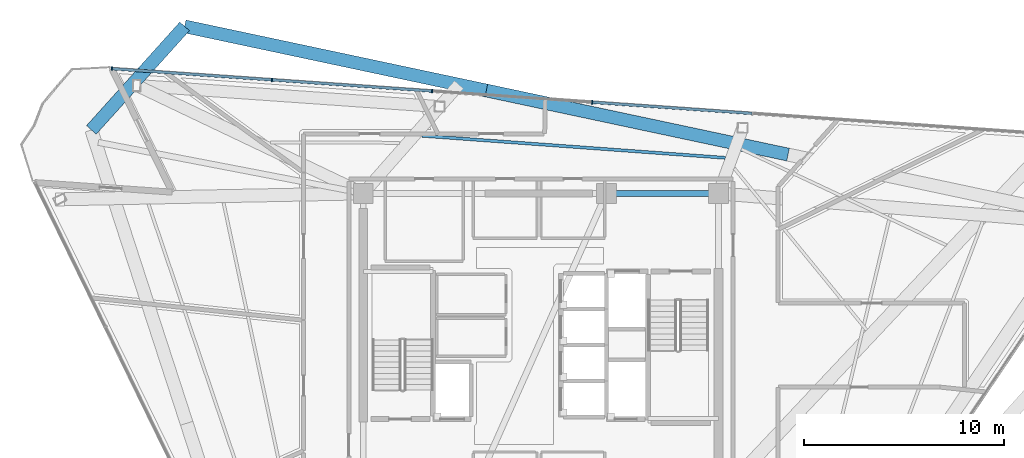
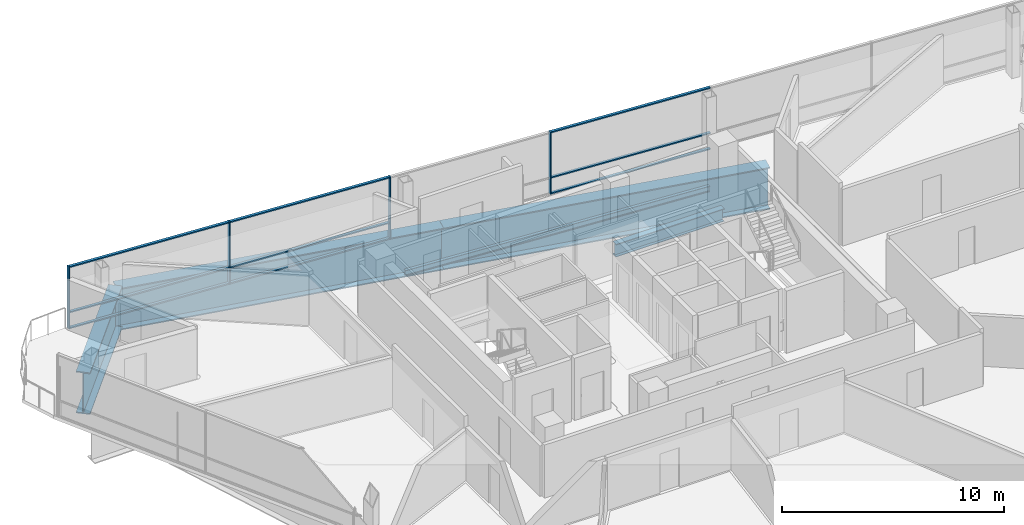
# One storey, part 6 of 14: 13 members, 5 beams, 1 element without a shape of its own.
"""IFC4 building model written with IfcOpenShell, lengths in metres."""

from ifc_helpers import new_model, si_unit, direction, frame, origin, origin_2d, place, context, subcontext, project, spatial, rectangle, i_section, extrude, material, layer, layer_set, material_profile, profile_set, type_object, element, aggregate, save


model = new_model("IFC4")

# Units and contexts
model_context = context("Model", 3, precision=1e-05, world=origin(), true_north=direction((0.0, 1.0)))
body_context = subcontext(model_context, "Body", "Model", "MODEL_VIEW")
ifc_project = project(units=[si_unit("LENGTHUNIT", "METRE"), si_unit("AREAUNIT", "SQUARE_METRE"), si_unit("VOLUMEUNIT", "CUBIC_METRE"), si_unit("PLANEANGLEUNIT", "RADIAN"), si_unit("MASSUNIT", "GRAM", prefix="KILO")], contexts=[model_context])

# Site, building, storey
site_placement = place(None, origin())
site = spatial("IfcSite", under=ifc_project, at=site_placement, CompositionType="ELEMENT")
building_placement = place(site_placement, origin())
building = spatial("IfcBuilding", under=site, at=building_placement, Name="Tharavind Bronze Gate", CompositionType="ELEMENT")
storey_placement = place(building_placement, frame((0.0, 0.0, 227.050048828125)))
storey = spatial("IfcBuildingStorey", under=building, at=storey_placement, Name="L58", CompositionType="ELEMENT", Elevation=227.050048828125)

# Curtain wall, members
ifc_material_1 = material(Name="Anodised Bronze Aluminium", Category="aluminium")
ifc_layer = layer(ifc_material_1, 0.219970703125)
ifc_layer_set = layer_set([ifc_layer], Name="Anodised Bronze Aluminium")
curtain_wall_type = type_object("IfcCurtainWallType", Name="UNITISED CURTAIN WALL UPPER OFFICE", PredefinedType="USERDEFINED", material=ifc_layer_set)
curtain_wall_placement = place(storey_placement, origin())
curtain_wall = element("IfcCurtainWall", 1, at=curtain_wall_placement, inside=storey, type_object=curtain_wall_type, Name="L58 unitised curtain wall upper office CW-L58-S3", ObjectType="UNITISED CURTAIN WALL", PredefinedType="USERDEFINED")
member_type_1 = type_object("IfcMemberType", Name="CURTAIN WALL BRONZE MULLION 65X180", PredefinedType="MULLION", material=ifc_material_1)
member_1_placement = place(storey_placement, frame((2.5654296875, 12.162353515625, 0.0), z_axis=(0.0, 0.0, 1.0), x_axis=(-0.99756392851, 0.069758214822, 0.0)))
member_1 = element("IfcMember", 2, at=member_1_placement, type_object=member_type_1, Name="CW-L58-S3 mullion 4", PredefinedType="MULLION", context=body_context, shape_type="SweptSolid", body=[
    extrude(rectangle(XDim=0.06494140625, YDim=0.179931640625, at=origin_2d()), origin(), (0.0, 0.0, 1.0), 3.419921875),
])
member_2_placement = place(storey_placement, frame((-5.452880859375, 12.72314453125, 0.0), z_axis=(0.0, 0.0, 1.0), x_axis=(-0.99756392851, 0.069758214822, 0.0)))
member_2 = element("IfcMember", 3, at=member_2_placement, type_object=member_type_1, Name="CW-L58-S3 mullion 5", PredefinedType="MULLION", context=body_context, shape_type="SweptSolid", body=[
    extrude(rectangle(XDim=0.06494140625, YDim=0.179931640625, at=origin_2d()), origin(), (0.0, 0.0, 1.0), 3.419921875),
])
member_3_placement = place(storey_placement, frame((-13.471435546875, 13.28369140625, 0.0), z_axis=(0.0, 0.0, 1.0), x_axis=(-0.99756392851, 0.069758214822, 0.0)))
member_3 = element("IfcMember", 4, at=member_3_placement, type_object=member_type_1, Name="CW-L58-S3 mullion 6", PredefinedType="MULLION", context=body_context, shape_type="SweptSolid", body=[
    extrude(rectangle(XDim=0.06494140625, YDim=0.179931640625, at=origin_2d()), origin(), (0.0, 0.0, 1.0), 3.419921875),
])
member_4_placement = place(storey_placement, frame((-21.489990234375, 13.844482421875, 0.0), z_axis=(0.0, 0.0, 1.0), x_axis=(-0.99756392851, 0.069758214822, 0.0)))
member_4 = element("IfcMember", 5, at=member_4_placement, type_object=member_type_1, Name="CW-L58-S3 mullion 7", PredefinedType="MULLION", context=body_context, shape_type="SweptSolid", body=[
    extrude(rectangle(XDim=0.06494140625, YDim=0.179931640625, at=origin_2d()), origin(), (0.0, 0.0, 1.0), 3.419921875),
])
member_type_2 = type_object("IfcMemberType", Name="CURTAIN WALL BRONZE TRANSOM 65X140", PredefinedType="USERDEFINED", material=ifc_material_1)
member_5_placement = place(storey_placement, frame((6.57470703125, 11.882080078125, 0.0), z_axis=(0.0, 0.0, 1.0), x_axis=(-0.99756392851, 0.069758214822, 0.0)))
member_5 = element("IfcMember", 6, at=member_5_placement, type_object=member_type_2, Name="CW-L58-S3 transom TB3", ObjectType="TRANSOM", PredefinedType="USERDEFINED", context=body_context, shape_type="SweptSolid", body=[
    extrude(rectangle(XDim=7.985107421875, YDim=0.139892578125, at=origin_2d()), origin(), (0.0, 0.0, 1.0), 0.06494140625),
])
member_6_placement = place(storey_placement, frame((6.57470703125, 11.882080078125, 0.867431640625), z_axis=(0.0, 0.0, 1.0), x_axis=(-0.99756392851, 0.069758214822, 0.0)))
member_6 = element("IfcMember", 7, at=member_6_placement, type_object=member_type_2, Name="CW-L58-S3 transom TS3", ObjectType="TRANSOM", PredefinedType="USERDEFINED", context=body_context, shape_type="SweptSolid", body=[
    extrude(rectangle(XDim=7.985107421875, YDim=0.139892578125, at=origin_2d()), origin(), (0.0, 0.0, 1.0), 0.06494140625),
])
member_7_placement = place(storey_placement, frame((6.57470703125, 11.882080078125, 3.35498046875), z_axis=(0.0, 0.0, 1.0), x_axis=(-0.99756392851, 0.069758214822, 0.0)))
member_7 = element("IfcMember", 8, at=member_7_placement, type_object=member_type_2, Name="CW-L58-S3 transom TT3", ObjectType="TRANSOM", PredefinedType="USERDEFINED", context=body_context, shape_type="SweptSolid", body=[
    extrude(rectangle(XDim=7.985107421875, YDim=0.139892578125, at=origin_2d()), origin(), (0.0, 0.0, 1.0), 0.06494140625),
])
member_8_placement = place(storey_placement, frame((-9.462158203125, 13.00341796875, 0.0), z_axis=(0.0, 0.0, 1.0), x_axis=(-0.99756392851, 0.069758214822, 0.0)))
member_8 = element("IfcMember", 9, at=member_8_placement, type_object=member_type_2, Name="CW-L58-S3 transom TB5", ObjectType="TRANSOM", PredefinedType="USERDEFINED", context=body_context, shape_type="SweptSolid", body=[
    extrude(rectangle(XDim=7.985107421875, YDim=0.139892578125, at=origin_2d()), origin(), (0.0, 0.0, 1.0), 0.06494140625),
])
member_9_placement = place(storey_placement, frame((-9.462158203125, 13.00341796875, 0.867431640625), z_axis=(0.0, 0.0, 1.0), x_axis=(-0.99756392851, 0.069758214822, 0.0)))
member_9 = element("IfcMember", 10, at=member_9_placement, type_object=member_type_2, Name="CW-L58-S3 transom TS5", ObjectType="TRANSOM", PredefinedType="USERDEFINED", context=body_context, shape_type="SweptSolid", body=[
    extrude(rectangle(XDim=7.985107421875, YDim=0.139892578125, at=origin_2d()), origin(), (0.0, 0.0, 1.0), 0.06494140625),
])
member_10_placement = place(storey_placement, frame((-9.462158203125, 13.00341796875, 3.35498046875), z_axis=(0.0, 0.0, 1.0), x_axis=(-0.99756392851, 0.069758214822, 0.0)))
member_10 = element("IfcMember", 11, at=member_10_placement, type_object=member_type_2, Name="CW-L58-S3 transom TT5", ObjectType="TRANSOM", PredefinedType="USERDEFINED", context=body_context, shape_type="SweptSolid", body=[
    extrude(rectangle(XDim=7.985107421875, YDim=0.139892578125, at=origin_2d()), origin(), (0.0, 0.0, 1.0), 0.06494140625),
])
member_11_placement = place(storey_placement, frame((-17.480712890625, 13.564208984375, 0.0), z_axis=(0.0, 0.0, 1.0), x_axis=(-0.99756392851, 0.069758214822, 0.0)))
member_11 = element("IfcMember", 12, at=member_11_placement, type_object=member_type_2, Name="CW-L58-S3 transom TB6", ObjectType="TRANSOM", PredefinedType="USERDEFINED", context=body_context, shape_type="SweptSolid", body=[
    extrude(rectangle(XDim=7.985107421875, YDim=0.139892578125, at=origin_2d()), origin(), (0.0, 0.0, 1.0), 0.06494140625),
])
member_12_placement = place(storey_placement, frame((-17.480712890625, 13.564208984375, 0.867431640625), z_axis=(0.0, 0.0, 1.0), x_axis=(-0.99756392851, 0.069758214822, 0.0)))
member_12 = element("IfcMember", 13, at=member_12_placement, type_object=member_type_2, Name="CW-L58-S3 transom TS6", ObjectType="TRANSOM", PredefinedType="USERDEFINED", context=body_context, shape_type="SweptSolid", body=[
    extrude(rectangle(XDim=7.985107421875, YDim=0.139892578125, at=origin_2d()), origin(), (0.0, 0.0, 1.0), 0.06494140625),
])
member_13_placement = place(storey_placement, frame((-17.480712890625, 13.564208984375, 3.35498046875), z_axis=(0.0, 0.0, 1.0), x_axis=(-0.99756392851, 0.069758214822, 0.0)))
member_13 = element("IfcMember", 14, at=member_13_placement, type_object=member_type_2, Name="CW-L58-S3 transom TT6", ObjectType="TRANSOM", PredefinedType="USERDEFINED", context=body_context, shape_type="SweptSolid", body=[
    extrude(rectangle(XDim=7.985107421875, YDim=0.139892578125, at=origin_2d()), origin(), (0.0, 0.0, 1.0), 0.06494140625),
])
aggregate(curtain_wall, [member_1, member_2, member_3, member_4, member_5, member_6, member_7, member_8, member_9, member_10, member_11, member_12, member_13])

# Beams
ifc_material_2 = material(Name="Steel S355", Category="steel")
ifc_material_profile_1 = material_profile(ifc_material_2, i_section(OverallWidth=0.300048828125, OverallDepth=0.699951171875, WebThickness=0.01708984375, FlangeThickness=0.031982421875, at=origin_2d()), Name="HE700B")
ifc_profile_set_1 = profile_set([ifc_material_profile_1], Name="Steel S355")
beam_type_1 = type_object("IfcBeamType", Name="RING GIRDER HE700B", PredefinedType="USERDEFINED", material=ifc_profile_set_1)
beam_1_placement = place(storey_placement, frame((8.89990234375, 7.60009765625, -0.5400390625), z_axis=(-1.0, 0.0, 0.0), x_axis=(0.0, -1.0, 0.0)))
element("IfcBeam", 15, at=beam_1_placement, inside=storey, type_object=beam_type_1, Name="L58 ring girder he700b BM-L58-CR4", ObjectType="GIRDER", PredefinedType="USERDEFINED", context=body_context, shape_type="SweptSolid", body=[
    extrude(i_section(OverallWidth=0.300048828125, OverallDepth=0.699951171875, WebThickness=0.01708984375, FlangeThickness=0.031982421875, at=origin_2d()), origin(), (0.0, 0.0, 1.0), 5.619873046875),
])
ifc_material_profile_2 = material_profile(ifc_material_2, i_section(OverallWidth=0.14990234375, OverallDepth=0.300048828125, WebThickness=0.007080078125, FlangeThickness=0.0107421875, at=origin_2d()), Name="IPE300")
ifc_profile_set_2 = profile_set([ifc_material_profile_2], Name="Steel S355")
beam_type_2 = type_object("IfcBeamType", Name="SECONDARY FLOOR JOIST IPE300", PredefinedType="JOIST", material=ifc_profile_set_2)
beam_2_placement = place(storey_placement, frame((9.226806640625, 9.379638671875, -0.340087890625), z_axis=(-0.997361891611, 0.07258964914, 0.0), x_axis=(-0.07258964914, -0.997361891611, 0.0)))
element("IfcBeam", 16, at=beam_2_placement, inside=storey, type_object=beam_type_2, Name="L58 secondary floor joist ipe300 BM-L58-JSTA10", PredefinedType="JOIST", context=body_context, shape_type="SweptSolid", body=[
    extrude(i_section(OverallWidth=0.14990234375, OverallDepth=0.300048828125, WebThickness=0.007080078125, FlangeThickness=0.0107421875, at=origin_2d()), origin(), (0.0, 0.0, 1.0), 15.22216796875),
])
ifc_material_3 = material(Name="Steel S460", Category="steel")
ifc_material_profile_3 = material_profile(ifc_material_3, i_section(OverallWidth=0.64990234375, OverallDepth=2.300048828125, WebThickness=0.035888671875, FlangeThickness=0.05810546875, at=origin_2d()), Name="PG2300X650")
ifc_profile_set_3 = profile_set([ifc_material_profile_3], Name="Steel S460")
beam_type_3 = type_object("IfcBeamType", Name="TRANSFER GIRDER 2300X650", PredefinedType="USERDEFINED", material=ifc_profile_set_3)
for number, where, z_axis, x_axis, name in (
    (17, (12.370849609375, 9.54150390625, -1.340087890625), (-0.978148967388, 0.207905261111, 0.0), (-0.207905261111, -0.978148967388, 0.0), "L58 transfer girder 2300x650 BM-L58-LRG10"),
    (18, (-2.737060546875, 12.752685546875, -1.340087890625), (-0.978148967388, 0.207905261111, 0.0), (-0.207905261111, -0.978148967388, 0.0), "L58 transfer girder 2300x650 BM-L58-LRG11"),
):
    element("IfcBeam", number, at=place(storey_placement, frame(where, z_axis=z_axis, x_axis=x_axis)), inside=storey, type_object=beam_type_3, Name=name, ObjectType="TRANSFER GIRDER", PredefinedType="USERDEFINED", context=body_context, shape_type="SweptSolid", body=[
        extrude(i_section(OverallWidth=0.64990234375, OverallDepth=2.300048828125, WebThickness=0.035888671875, FlangeThickness=0.05810546875, at=origin_2d()), origin(), (0.0, 0.0, 1.0), 15.4453125),
    ])
beam_3_placement = place(storey_placement, frame((-17.844970703125, 15.9638671875, -1.340087890625), z_axis=(-0.669130909152, -0.743144552841, 0.0), x_axis=(0.743144552841, -0.669130909152, 0.0)))
element("IfcBeam", 19, at=beam_3_placement, inside=storey, type_object=beam_type_3, Name="L58 transfer girder 2300x650 BM-L58-LRG12", ObjectType="TRANSFER GIRDER", PredefinedType="USERDEFINED", context=body_context, shape_type="SweptSolid", body=[
    extrude(i_section(OverallWidth=0.64990234375, OverallDepth=2.300048828125, WebThickness=0.035888671875, FlangeThickness=0.05810546875, at=origin_2d()), origin(), (0.0, 0.0, 1.0), 6.979736328125),
])

save(model, "model.ifc")
